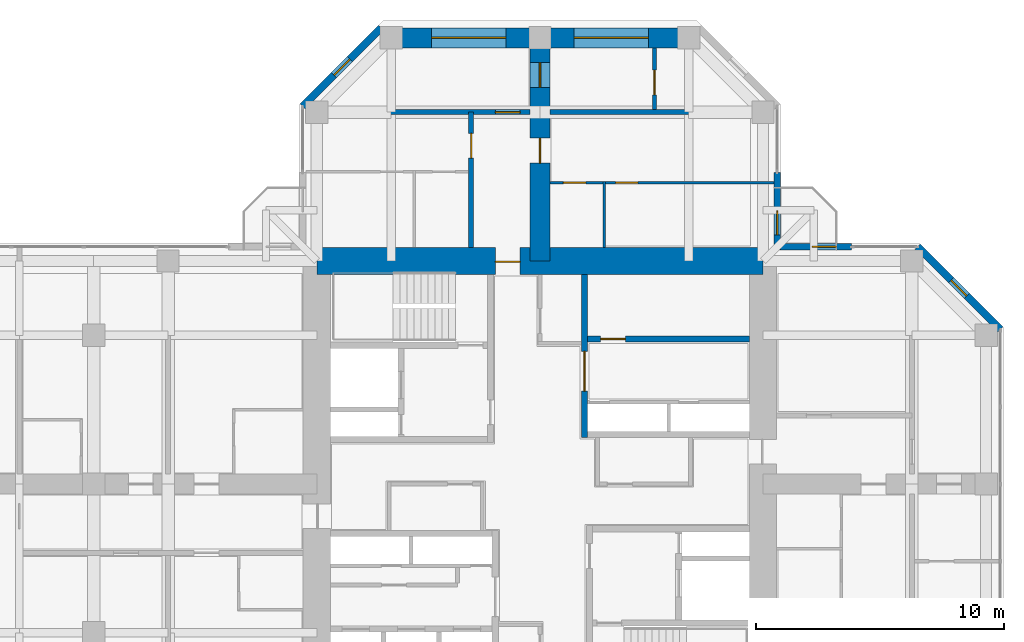
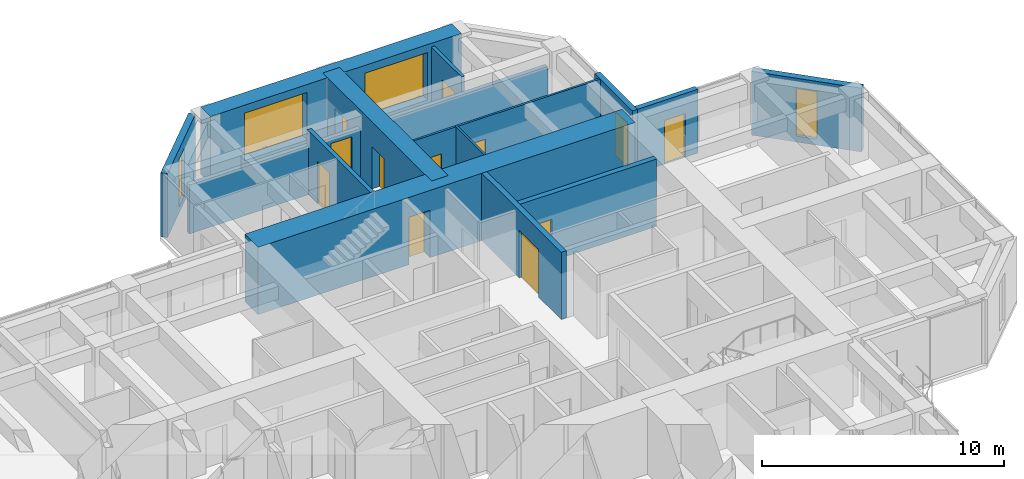
# One storey, part 12 of 14: 15 walls, 12 doors, 4 windows, 16 openings.
"""IFC4 building model written with IfcOpenShell, lengths in metres."""

from ifc_helpers import new_model, si_unit, direction, frame, frame_2d, origin, place, context, subcontext, project, spatial, rectangle, hollow_rectangle, extrude, material, layer, layer_set, constituent, constituent_set, type_object, element, fill, save


model = new_model("IFC4")

# Units and contexts
model_context = context("Model", 3, precision=1e-05, world=origin(), true_north=direction((0.0, 1.0)))
body_context = subcontext(model_context, "Body", "Model", "MODEL_VIEW")
ifc_project = project(units=[si_unit("LENGTHUNIT", "METRE"), si_unit("AREAUNIT", "SQUARE_METRE"), si_unit("VOLUMEUNIT", "CUBIC_METRE"), si_unit("PLANEANGLEUNIT", "RADIAN"), si_unit("MASSUNIT", "GRAM", prefix="KILO")], contexts=[model_context])

# Site, building, storey
site_placement = place(None, origin())
site = spatial("IfcSite", under=ifc_project, at=site_placement, CompositionType="ELEMENT")
building_placement = place(site_placement, origin())
building = spatial("IfcBuilding", under=site, at=building_placement, Name="Torre Cruceta", CompositionType="ELEMENT")
storey_placement = place(building_placement, frame((0.0, 0.0, 206.89990234375)))
storey = spatial("IfcBuildingStorey", under=building, at=storey_placement, Name="L52", CompositionType="ELEMENT", Elevation=206.89990234375)

# Wall
ifc_material_1 = material(Name="Water-resistant plasterboard on steel studs", Category="steel")
ifc_layer_1 = layer(ifc_material_1, 0.10009765625)
ifc_layer_set_1 = layer_set([ifc_layer_1], Name="Water-resistant plasterboard on steel studs")
wall_type_1 = type_object("IfcWallType", Name="BATHROOM WALL 100", PredefinedType="PARTITIONING", material=ifc_layer_set_1)
wall_1_placement = place(storey_placement, frame((2.60009765625, 9.550048828125, 0.0), z_axis=(0.0, 0.0, 1.0), x_axis=(0.0, 1.0, 0.0)))
element("IfcWall", 1, at=wall_1_placement, inside=storey, type_object=wall_type_1, Name="PT4 L52-N-U1RBB", PredefinedType="PARTITIONING", context=body_context, shape_type="SweptSolid", body=[
    extrude(rectangle(XDim=2.64990234375, YDim=0.10009765625, at=frame_2d((1.324951171875, 0.0))), origin(), (0.0, 0.0, 1.0), 3.22021484375),
])

# Wall, openings, doors
wall_2_placement = place(storey_placement, frame((9.445068359375, 12.14990234375, 0.0), z_axis=(0.0, 0.0, 1.0), x_axis=(-1.0, 0.0, 0.0)))
wall_2 = element("IfcWall", 2, at=wall_2_placement, inside=storey, type_object=wall_type_1, Name="PT4 L52-N-U1RBS", PredefinedType="PARTITIONING", context=body_context, shape_type="SweptSolid", body=[
    extrude(rectangle(XDim=9.045166015625, YDim=0.10009765625, at=frame_2d((4.5224609375, 0.0))), origin(), (0.0, 0.0, 1.0), 3.22021484375),
])
opening_1_placement = place(wall_2_placement, frame((5.4951171875, 0.0, 0.0)))
opening_1 = element("IfcOpeningElement", 3, at=opening_1_placement, cuts=wall_2, Name="Opening D7", PredefinedType="OPENING", context=body_context, shape_type="SweptSolid", body=[
    extrude(rectangle(XDim=0.89990234375, YDim=2.10009765625, at=frame_2d((0.449951171875, 1.050048828125))), frame((0.0, 0.06005859375, 0.0), z_axis=(0.0, -1.0, 0.0), x_axis=(1.0, 0.0, 0.0)), (0.0, 0.0, 1.0), 0.1201171875),
])
opening_2_placement = place(wall_2_placement, frame((7.594970703125, 0.0, 0.0)))
opening_2 = element("IfcOpeningElement", 4, at=opening_2_placement, cuts=wall_2, Name="Opening D7", PredefinedType="OPENING", context=body_context, shape_type="SweptSolid", body=[
    extrude(rectangle(XDim=0.89990234375, YDim=2.10009765625, at=frame_2d((0.449951171875, 1.050048828125))), frame((0.0, 0.06005859375, 0.0), z_axis=(0.0, -1.0, 0.0), x_axis=(1.0, 0.0, 0.0)), (0.0, 0.0, 1.0), 0.1201171875),
])
ifc_material_2 = material(Name="Timber door", Category="wood")
door_type_1 = type_object("IfcDoorType", Name="BATHROOM DOOR 900X2100", OperationType="SINGLE_SWING_LEFT", PredefinedType="DOOR", material=ifc_material_2)
door_1_placement = place(opening_1_placement, origin())
door_1 = element("IfcDoor", 5, at=door_1_placement, inside=storey, type_object=door_type_1, Name="D7 L52-N-U1RBS-D1", OperationType="SINGLE_SWING_RIGHT", OverallHeight=2.10009765625, OverallWidth=0.89990234375, PredefinedType="DOOR", context=body_context, shape_type="SweptSolid", body=[
    extrude(rectangle(XDim=0.89990234375, YDim=2.10009765625, at=frame_2d((0.449951171875, 1.050048828125))), frame((0.0, 0.02490234375, 0.0), z_axis=(0.0, -1.0, 0.0), x_axis=(1.0, 0.0, 0.0)), (0.0, 0.0, 1.0), 0.050048828125),
])
fill(opening_1, door_1)
door_2_placement = place(opening_2_placement, origin())
door_2 = element("IfcDoor", 6, at=door_2_placement, inside=storey, type_object=door_type_1, Name="D7 L52-N-U1RBS-D2", OperationType="SINGLE_SWING_RIGHT", OverallHeight=2.10009765625, OverallWidth=0.89990234375, PredefinedType="DOOR", context=body_context, shape_type="SweptSolid", body=[
    extrude(rectangle(XDim=0.89990234375, YDim=2.10009765625, at=frame_2d((0.449951171875, 1.050048828125))), frame((0.0, 0.02490234375, 0.0), z_axis=(0.0, -1.0, 0.0), x_axis=(1.0, 0.0, 0.0)), (0.0, 0.0, 1.0), 0.050048828125),
])
fill(opening_2, door_2)

# Wall, opening, door
ifc_material_3 = material(Name="Concrete G60 (fck 60 MPa)", Category="concrete")
ifc_layer_2 = layer(ifc_material_3, 0.25)
ifc_layer_set_2 = layer_set([ifc_layer_2], Name="Concrete G60 (fck 60 MPa)")
wall_type_2 = type_object("IfcWallType", Name="CORE INNER WALL 250 G60", PredefinedType="SHEAR", material=ifc_layer_set_2)
wall_3_placement = place(storey_placement, frame((1.800048828125, 1.875, 0.0), z_axis=(0.0, 0.0, 1.0), x_axis=(0.0, 1.0, 0.0)))
wall_3 = element("IfcWall", 7, at=wall_3_placement, inside=storey, type_object=wall_type_2, Name="CW4 L52 NE-CU", PredefinedType="SHEAR", context=body_context, shape_type="SweptSolid", body=[
    extrude(rectangle(XDim=6.574951171875, YDim=0.25, at=frame_2d((3.28759765625, 0.0))), origin(), (0.0, 0.0, 1.0), 3.400146484375),
])
opening_3_placement = place(wall_3_placement, frame((1.875, 0.0, 0.0)))
opening_3 = element("IfcOpeningElement", 8, at=opening_3_placement, cuts=wall_3, Name="Opening D15", PredefinedType="OPENING", context=body_context, shape_type="SweptSolid", body=[
    extrude(rectangle(XDim=1.60009765625, YDim=2.39990234375, at=frame_2d((0.800048828125, 1.199951171875))), frame((0.0, 0.135009765625, 0.0), z_axis=(0.0, -1.0, 0.0), x_axis=(1.0, 0.0, 0.0)), (0.0, 0.0, 1.0), 0.27001953125),
])
ifc_material_4 = material(Name="Steel DX51D", Category="steel")
ifc_constituent_1 = constituent(ifc_material_4, Name="Leaf and frame")
ifc_material_5 = material(Name="Polyester powder coating", Category="paint")
ifc_constituent_2 = constituent(ifc_material_5, Name="Finish")
ifc_constituent_set_1 = constituent_set(constituents=[ifc_constituent_1, ifc_constituent_2], Name="Steel fire door")
door_type_2 = type_object("IfcDoorType", Name="CORE ROOM DOUBLE DOOR 1600X2400", OperationType="DOUBLE_DOOR_SINGLE_SWING", PredefinedType="DOOR", material=ifc_constituent_set_1)
door_3_placement = place(opening_3_placement, frame((1.60009765625, 0.0, 0.0), z_axis=(0.0, 0.0, 1.0), x_axis=(-1.0, 0.0, 0.0)))
door_3 = element("IfcDoor", 9, at=door_3_placement, inside=storey, type_object=door_type_2, Name="D15 L52 NE-LOBBY", OperationType="DOUBLE_DOOR_SINGLE_SWING", OverallHeight=2.39990234375, OverallWidth=1.60009765625, PredefinedType="DOOR", context=body_context, shape_type="SweptSolid", body=[
    extrude(rectangle(XDim=1.60009765625, YDim=2.39990234375, at=frame_2d((0.800048828125, 1.199951171875))), frame((0.0, 0.025146484375, 0.0), z_axis=(0.0, -1.0, 0.0), x_axis=(1.0, 0.0, 0.0)), (0.0, 0.0, 1.0), 0.050048828125),
])
fill(opening_3, door_3)

wall_4_placement = place(storey_placement, frame((1.925048828125, 5.85009765625, 0.0), z_axis=(0.0, 0.0, 1.0), x_axis=(1.0, 0.0, 0.0)))
wall_4 = element("IfcWall", 10, at=wall_4_placement, inside=storey, type_object=wall_type_2, Name="CW4 L52 NE-LV", PredefinedType="SHEAR", context=body_context, shape_type="SweptSolid", body=[
    extrude(rectangle(XDim=6.52490234375, YDim=0.25, at=frame_2d((3.262451171875, 0.0))), origin(), (0.0, 0.0, 1.0), 3.400146484375),
])
opening_4_placement = place(wall_4_placement, frame((0.520751953125, 0.0, 0.0)))
opening_4 = element("IfcOpeningElement", 11, at=opening_4_placement, cuts=wall_4, Name="Opening D3", PredefinedType="OPENING", context=body_context, shape_type="SweptSolid", body=[
    extrude(rectangle(XDim=1.0, YDim=2.10009765625, at=frame_2d((0.5, 1.050048828125))), frame((0.0, 0.135009765625, 0.0), z_axis=(0.0, -1.0, 0.0), x_axis=(1.0, 0.0, 0.0)), (0.0, 0.0, 1.0), 0.27001953125),
])
ifc_material_6 = material(Name="Steel DX51D", Category="steel")
ifc_constituent_3 = constituent(ifc_material_6, Name="Leaf and frame")
ifc_material_7 = material(Name="Polyester powder coating", Category="paint")
ifc_constituent_4 = constituent(ifc_material_7, Name="Finish")
ifc_constituent_set_2 = constituent_set(constituents=[ifc_constituent_3, ifc_constituent_4], Name="Steel fire door")
door_type_3 = type_object("IfcDoorType", Name="FIRE DOOR 1000X2100", OperationType="SINGLE_SWING_LEFT", PredefinedType="DOOR", material=ifc_constituent_set_2)
door_4_placement = place(opening_4_placement, origin())
door_4 = element("IfcDoor", 12, at=door_4_placement, inside=storey, type_object=door_type_3, Name="D3 L52 NE-HR1", OperationType="SINGLE_SWING_LEFT", OverallHeight=2.10009765625, OverallWidth=1.0, PredefinedType="DOOR", context=body_context, shape_type="SweptSolid", body=[
    extrude(rectangle(XDim=1.0, YDim=2.10009765625, at=frame_2d((0.5, 1.050048828125))), frame((0.0, 0.02490234375, 0.0), z_axis=(0.0, -1.0, 0.0), x_axis=(1.0, 0.0, 0.0)), (0.0, 0.0, 1.0), 0.050048828125),
])
fill(opening_4, door_4)

ifc_material_8 = material(Name="Concrete G60 (fck 60 MPa)", Category="concrete")
ifc_layer_3 = layer(ifc_material_8, 1.10009765625)
ifc_layer_set_3 = layer_set([ifc_layer_3], Name="Concrete G60 (fck 60 MPa)")
wall_type_3 = type_object("IfcWallType", Name="CORE WALL 1100 G60", PredefinedType="SHEAR", material=ifc_layer_set_3)
wall_5_placement = place(storey_placement, frame((9.0, 9.0, 0.0), z_axis=(0.0, 0.0, 1.0), x_axis=(-1.0, 0.0, 0.0)))
wall_5 = element("IfcWall", 13, at=wall_5_placement, inside=storey, type_object=wall_type_3, Name="CW2 L52 CW-N", PredefinedType="SHEAR", context=body_context, shape_type="SweptSolid", body=[
    extrude(rectangle(XDim=18.0, YDim=1.10009765625, at=frame_2d((9.0, 0.0))), origin(), (0.0, 0.0, 1.0), 3.400146484375),
])
opening_5_placement = place(wall_5_placement, frame((9.800048828125, 0.0, 0.0)))
opening_5 = element("IfcOpeningElement", 14, at=opening_5_placement, cuts=wall_5, Name="Opening D4", PredefinedType="OPENING", context=body_context, shape_type="SweptSolid", body=[
    extrude(rectangle(XDim=1.0, YDim=2.39990234375, at=frame_2d((0.5, 1.199951171875))), frame((0.0, 0.56005859375, 0.0), z_axis=(0.0, -1.0, 0.0), x_axis=(1.0, 0.0, 0.0)), (0.0, 0.0, 1.0), 1.1201171875),
])
ifc_material_9 = material(Name="Steel DX51D", Category="steel")
ifc_constituent_5 = constituent(ifc_material_9, Name="Leaf and frame")
ifc_material_10 = material(Name="Polyester powder coating", Category="paint")
ifc_constituent_6 = constituent(ifc_material_10, Name="Finish")
ifc_constituent_set_3 = constituent_set(constituents=[ifc_constituent_5, ifc_constituent_6], Name="Steel fire door")
door_type_4 = type_object("IfcDoorType", Name="CORE ARM DOOR 1000X2400", OperationType="SINGLE_SWING_RIGHT", PredefinedType="DOOR", material=ifc_constituent_set_3)
door_5_placement = place(opening_5_placement, origin())
door_5 = element("IfcDoor", 15, at=door_5_placement, inside=storey, type_object=door_type_4, Name="D4 L52 CW-N", OperationType="SINGLE_SWING_RIGHT", OverallHeight=2.39990234375, OverallWidth=1.0, PredefinedType="DOOR", context=body_context, shape_type="SweptSolid", body=[
    extrude(rectangle(XDim=1.0, YDim=2.39990234375, at=frame_2d((0.5, 1.199951171875))), frame((0.0, 0.05517578125, 0.0), z_axis=(0.0, -1.0, 0.0), x_axis=(1.0, 0.0, 0.0)), (0.0, 0.0, 1.0), 0.050048828125),
])
fill(opening_5, door_5)

ifc_material_11 = material(Name="Concrete G25 (fck 25 MPa)", Category="concrete")
ifc_layer_4 = layer(ifc_material_11, 0.199951171875)
ifc_layer_set_4 = layer_set([ifc_layer_4], Name="Concrete G25 (fck 25 MPa)")
wall_type_4 = type_object("IfcWallType", Name="CORRIDOR WALL 200", PredefinedType="SOLIDWALL", material=ifc_layer_set_4)
wall_6_placement = place(storey_placement, frame((-2.77490234375, 9.550048828125, 0.0), z_axis=(0.0, 0.0, 1.0), x_axis=(0.0, 1.0, 0.0)))
wall_6 = element("IfcWall", 16, at=wall_6_placement, inside=storey, type_object=wall_type_4, Name="PT3 L52-N-CL", PredefinedType="SOLIDWALL", context=body_context, shape_type="SweptSolid", body=[
    extrude(rectangle(XDim=5.449951171875, YDim=0.199951171875, at=frame_2d((2.72509765625, 0.0))), origin(), (0.0, 0.0, 1.0), 3.22021484375),
])
opening_6_placement = place(wall_6_placement, frame((3.60009765625, 0.0, 0.0)))
opening_6 = element("IfcOpeningElement", 17, at=opening_6_placement, cuts=wall_6, Name="Opening D6", PredefinedType="OPENING", context=body_context, shape_type="SweptSolid", body=[
    extrude(rectangle(XDim=1.0, YDim=2.14990234375, at=frame_2d((0.5, 1.074951171875))), frame((0.0, 0.10986328125, 0.0), z_axis=(0.0, -1.0, 0.0), x_axis=(1.0, 0.0, 0.0)), (0.0, 0.0, 1.0), 0.219970703125),
])
ifc_material_12 = material(Name="Timber fire door", Category="wood")
door_type_5 = type_object("IfcDoorType", Name="UNIT ENTRANCE DOOR 1000X2150", OperationType="SINGLE_SWING_LEFT", PredefinedType="DOOR", material=ifc_material_12)
door_6_placement = place(opening_6_placement, origin())
door_6 = element("IfcDoor", 18, at=door_6_placement, inside=storey, type_object=door_type_5, Name="D6 L52-N-CL-D1", OperationType="SINGLE_SWING_LEFT", OverallHeight=2.14990234375, OverallWidth=1.0, PredefinedType="DOOR", context=body_context, shape_type="SweptSolid", body=[
    extrude(rectangle(XDim=1.0, YDim=2.14990234375, at=frame_2d((0.5, 1.074951171875))), frame((0.0, 0.02490234375, 0.0), z_axis=(0.0, -1.0, 0.0), x_axis=(1.0, 0.0, 0.0)), (0.0, 0.0, 1.0), 0.050048828125),
])
fill(opening_6, door_6)

# Wall, opening, window
ifc_material_13 = material(Name="Concrete G30 (fck 30 MPa)", Category="concrete")
ifc_layer_5 = layer(ifc_material_13, 0.300048828125)
ifc_layer_set_5 = layer_set([ifc_layer_5], Name="Concrete G30 (fck 30 MPa)")
wall_type_5 = type_object("IfcWallType", Name="EXPOSED CONCRETE FACADE WALL 300", PredefinedType="SOLIDWALL", material=ifc_layer_set_5)
wall_7_placement = place(storey_placement, frame((18.570068359375, 6.236083984375, 0.0), z_axis=(0.0, 0.0, 1.0), x_axis=(-0.707106781187, 0.707106781187, 0.0)))
wall_7 = element("IfcWall", 19, at=wall_7_placement, inside=storey, type_object=wall_type_5, Name="EW1 facade wall L52 E chamfer 03", PredefinedType="SOLIDWALL", context=body_context, shape_type="SweptSolid", body=[
    extrude(rectangle(XDim=4.715087890625, YDim=0.300048828125, at=frame_2d((2.357421875, 0.0))), origin(), (0.0, 0.0, 1.0), 3.22021484375),
])
opening_7_placement = place(wall_7_placement, frame((1.907470703125, 0.0, 0.300048828125)))
opening_7 = element("IfcOpeningElement", 20, at=opening_7_placement, cuts=wall_7, Name="Opening WN5", PredefinedType="OPENING", context=body_context, shape_type="SweptSolid", body=[
    extrude(rectangle(XDim=0.89990234375, YDim=2.39990234375, at=frame_2d((0.449951171875, 1.199951171875))), frame((0.0, 0.159912109375, 0.0), z_axis=(0.0, -1.0, 0.0), x_axis=(1.0, 0.0, 0.0)), (0.0, 0.0, 1.0), 0.320068359375),
])
ifc_material_14 = material(Name="Aluminium window frame", Category="aluminium")
ifc_constituent_7 = constituent(ifc_material_14, Name="Frame")
ifc_material_15 = material(Name="Laminated insulating glass unit, low-iron clear", Category="glass")
ifc_constituent_8 = constituent(ifc_material_15, Name="Glazing")
ifc_constituent_set_4 = constituent_set(constituents=[ifc_constituent_7, ifc_constituent_8], Name="Aluminium window")
window_type_1 = type_object("IfcWindowType", Name="CHAMFER SLOT WINDOW 900X2400", PartitioningType="SINGLE_PANEL", PredefinedType="WINDOW", material=ifc_constituent_set_4)
window_1_placement = place(opening_7_placement, origin())
window_1 = element("IfcWindow", 21, at=window_1_placement, inside=storey, type_object=window_type_1, Name="WN5 L52 E 1", OverallHeight=2.39990234375, OverallWidth=0.89990234375, PartitioningType="SINGLE_PANEL", PredefinedType="WINDOW", context=body_context, shape_type="SweptSolid", body=[
    extrude(hollow_rectangle(XDim=0.89990234375, YDim=2.39990234375, WallThickness=0.06005859375, at=frame_2d((0.449951171875, 1.199951171875))), frame((0.0, 0.030029296875, 0.0), z_axis=(0.0, -1.0, 0.0), x_axis=(1.0, 0.0, 0.0)), (0.0, 0.0, 1.0), 0.06005859375),
    extrude(rectangle(XDim=0.77880859375, YDim=2.27880859375, at=frame_2d((0.449951171875, 1.199951171875))), frame((0.0, 0.030029296875, 0.0), z_axis=(0.0, -1.0, 0.0), x_axis=(1.0, 0.0, 0.0)), (0.0, 0.0, 1.0), 0.06005859375),
])
fill(opening_7, window_1)

wall_8_placement = place(storey_placement, frame((-6.406005859375, 18.39990234375, 0.0), z_axis=(0.0, 0.0, 1.0), x_axis=(-0.707134062067, -0.707079499254, 0.0)))
wall_8 = element("IfcWall", 22, at=wall_8_placement, inside=storey, type_object=wall_type_5, Name="EW1 facade wall L52 N chamfer 08", PredefinedType="SOLIDWALL", context=body_context, shape_type="SweptSolid", body=[
    extrude(rectangle(XDim=4.474609375, YDim=0.300048828125, at=frame_2d((2.2373046875, 0.0))), origin(), (0.0, 0.0, 1.0), 3.22021484375),
])
opening_8_placement = place(wall_8_placement, frame((1.787109375, 0.0, 0.300048828125)))
opening_8 = element("IfcOpeningElement", 23, at=opening_8_placement, cuts=wall_8, Name="Opening WN5", PredefinedType="OPENING", context=body_context, shape_type="SweptSolid", body=[
    extrude(rectangle(XDim=0.89990234375, YDim=2.39990234375, at=frame_2d((0.449951171875, 1.199951171875))), frame((0.0, 0.159912109375, 0.0), z_axis=(0.0, -1.0, 0.0), x_axis=(1.0, 0.0, 0.0)), (0.0, 0.0, 1.0), 0.320068359375),
])
window_2_placement = place(opening_8_placement, origin())
window_2 = element("IfcWindow", 24, at=window_2_placement, inside=storey, type_object=window_type_1, Name="WN5 L52 N 1", OverallHeight=2.39990234375, OverallWidth=0.89990234375, PartitioningType="SINGLE_PANEL", PredefinedType="WINDOW", context=body_context, shape_type="SweptSolid", body=[
    extrude(hollow_rectangle(XDim=0.89990234375, YDim=2.39990234375, WallThickness=0.06005859375, at=frame_2d((0.449951171875, 1.199951171875))), frame((0.0, 0.030029296875, 0.0), z_axis=(0.0, -1.0, 0.0), x_axis=(1.0, 0.0, 0.0)), (0.0, 0.0, 1.0), 0.06005859375),
    extrude(rectangle(XDim=0.77880859375, YDim=2.27880859375, at=frame_2d((0.449951171875, 1.199951171875))), frame((0.0, 0.030029296875, 0.0), z_axis=(0.0, -1.0, 0.0), x_axis=(1.0, 0.0, 0.0)), (0.0, 0.0, 1.0), 0.06005859375),
])
fill(opening_8, window_2)

# Wall, openings, windows
ifc_material_16 = material(Name="Concrete G60 (fck 60 MPa)", Category="concrete")
ifc_layer_6 = layer(ifc_material_16, 0.800048828125)
ifc_layer_set_6 = layer_set([ifc_layer_6], Name="Concrete G60 (fck 60 MPa)")
wall_type_6 = type_object("IfcWallType", Name="NOSE WALL 800 G60", PredefinedType="SHEAR", material=ifc_layer_set_6)
wall_9_placement = place(storey_placement, frame((6.0, 18.0, 0.0), z_axis=(0.0, 0.0, 1.0), x_axis=(-1.0, 0.0, 0.0)))
wall_9 = element("IfcWall", 25, at=wall_9_placement, inside=storey, type_object=wall_type_6, Name="NW2 nose wall L52 N", PredefinedType="SHEAR", context=body_context, shape_type="SweptSolid", body=[
    extrude(rectangle(XDim=12.0, YDim=0.800048828125, at=frame_2d((6.0, 0.0))), origin(), (0.0, 0.0, 1.0), 3.400146484375),
])
opening_9_placement = place(wall_9_placement, frame((1.625, 0.0, 0.60009765625)))
opening_9 = element("IfcOpeningElement", 26, at=opening_9_placement, cuts=wall_9, Name="Opening WN6", PredefinedType="OPENING", context=body_context, shape_type="SweptSolid", body=[
    extrude(rectangle(XDim=3.0, YDim=2.39990234375, at=frame_2d((1.5, 1.199951171875))), frame((0.0, 0.409912109375, 0.0), z_axis=(0.0, -1.0, 0.0), x_axis=(1.0, 0.0, 0.0)), (0.0, 0.0, 1.0), 0.820068359375),
])
opening_10_placement = place(wall_9_placement, frame((7.375, 0.0, 0.60009765625)))
opening_10 = element("IfcOpeningElement", 27, at=opening_10_placement, cuts=wall_9, Name="Opening WN6", PredefinedType="OPENING", context=body_context, shape_type="SweptSolid", body=[
    extrude(rectangle(XDim=3.0, YDim=2.39990234375, at=frame_2d((1.5, 1.199951171875))), frame((0.0, 0.409912109375, 0.0), z_axis=(0.0, -1.0, 0.0), x_axis=(1.0, 0.0, 0.0)), (0.0, 0.0, 1.0), 0.820068359375),
])
ifc_material_17 = material(Name="Aluminium window frame", Category="aluminium")
ifc_constituent_9 = constituent(ifc_material_17, Name="Frame")
ifc_material_18 = material(Name="Laminated insulating glass unit, low-iron clear", Category="glass")
ifc_constituent_10 = constituent(ifc_material_18, Name="Glazing")
ifc_constituent_set_5 = constituent_set(constituents=[ifc_constituent_9, ifc_constituent_10], Name="Aluminium window")
window_type_2 = type_object("IfcWindowType", Name="NOSE WALL WINDOW 3000X2400", PartitioningType="SINGLE_PANEL", PredefinedType="WINDOW", material=ifc_constituent_set_5)
window_3_placement = place(opening_9_placement, origin())
window_3 = element("IfcWindow", 28, at=window_3_placement, inside=storey, type_object=window_type_2, Name="WN6 L52 N 1", OverallHeight=2.39990234375, OverallWidth=3.0, PartitioningType="SINGLE_PANEL", PredefinedType="WINDOW", context=body_context, shape_type="SweptSolid", body=[
    extrude(hollow_rectangle(XDim=3.0, YDim=2.39990234375, WallThickness=0.06005859375, at=frame_2d((1.5, 1.199951171875))), frame((0.0, 0.030029296875, 0.0), z_axis=(0.0, -1.0, 0.0), x_axis=(1.0, 0.0, 0.0)), (0.0, 0.0, 1.0), 0.06005859375),
    extrude(rectangle(XDim=2.87890625, YDim=2.27880859375, at=frame_2d((1.5, 1.199951171875))), frame((0.0, 0.030029296875, 0.0), z_axis=(0.0, -1.0, 0.0), x_axis=(1.0, 0.0, 0.0)), (0.0, 0.0, 1.0), 0.06005859375),
])
fill(opening_9, window_3)
window_4_placement = place(opening_10_placement, origin())
window_4 = element("IfcWindow", 29, at=window_4_placement, inside=storey, type_object=window_type_2, Name="WN6 L52 N 2", OverallHeight=2.39990234375, OverallWidth=3.0, PartitioningType="SINGLE_PANEL", PredefinedType="WINDOW", context=body_context, shape_type="SweptSolid", body=[
    extrude(hollow_rectangle(XDim=3.0, YDim=2.39990234375, WallThickness=0.06005859375, at=frame_2d((1.5, 1.199951171875))), frame((0.0, 0.030029296875, 0.0), z_axis=(0.0, -1.0, 0.0), x_axis=(1.0, 0.0, 0.0)), (0.0, 0.0, 1.0), 0.06005859375),
    extrude(rectangle(XDim=2.87890625, YDim=2.27880859375, at=frame_2d((1.5, 1.199951171875))), frame((0.0, 0.030029296875, 0.0), z_axis=(0.0, -1.0, 0.0), x_axis=(1.0, 0.0, 0.0)), (0.0, 0.0, 1.0), 0.06005859375),
])
fill(opening_10, window_4)

# Wall, opening, door
ifc_material_19 = material(Name="Plasterboard on steel studs", Category="steel")
ifc_layer_7 = layer(ifc_material_19, 0.14990234375)
ifc_layer_set_7 = layer_set([ifc_layer_7], Name="Plasterboard on steel studs")
wall_type_7 = type_object("IfcWallType", Name="PARTITION 150", PredefinedType="PARTITIONING", material=ifc_layer_set_7)
wall_10_placement = place(storey_placement, frame((4.625, 15.10009765625, 0.0), z_axis=(0.0, 0.0, 1.0), x_axis=(0.0, 1.0, 0.0)))
wall_10 = element("IfcWall", 30, at=wall_10_placement, inside=storey, type_object=wall_type_7, Name="PT1 L52-N-END2X", PredefinedType="PARTITIONING", context=body_context, shape_type="SweptSolid", body=[
    extrude(rectangle(XDim=2.5, YDim=0.14990234375, at=frame_2d((1.25, 0.0))), origin(), (0.0, 0.0, 1.0), 3.22021484375),
])
opening_11_placement = place(wall_10_placement, frame((0.60009765625, 0.0, 0.0)))
opening_11 = element("IfcOpeningElement", 31, at=opening_11_placement, cuts=wall_10, Name="Opening D3", PredefinedType="OPENING", context=body_context, shape_type="SweptSolid", body=[
    extrude(rectangle(XDim=1.0, YDim=2.10009765625, at=frame_2d((0.5, 1.050048828125))), frame((0.0, 0.0849609375, 0.0), z_axis=(0.0, -1.0, 0.0), x_axis=(1.0, 0.0, 0.0)), (0.0, 0.0, 1.0), 0.169921875),
])
door_7_placement = place(opening_11_placement, frame((1.0, 0.0, 0.0), z_axis=(0.0, 0.0, 1.0), x_axis=(-1.0, 0.0, 0.0)))
door_7 = element("IfcDoor", 32, at=door_7_placement, inside=storey, type_object=door_type_3, Name="D3 L52-N-END2X-D1", OperationType="SINGLE_SWING_RIGHT", OverallHeight=2.10009765625, OverallWidth=1.0, PredefinedType="DOOR", context=body_context, shape_type="SweptSolid", body=[
    extrude(rectangle(XDim=1.0, YDim=2.10009765625, at=frame_2d((0.5, 1.050048828125))), frame((0.0, 0.025146484375, 0.0), z_axis=(0.0, -1.0, 0.0), x_axis=(1.0, 0.0, 0.0)), (0.0, 0.0, 1.0), 0.050048828125),
])
fill(opening_11, door_7)

# Wall, openings, doors
ifc_material_20 = material(Name="Concrete G60 (fck 60 MPa)", Category="concrete")
ifc_layer_8 = layer(ifc_material_20, 0.800048828125)
ifc_layer_set_8 = layer_set([ifc_layer_8], Name="Concrete G60 (fck 60 MPa)")
wall_type_8 = type_object("IfcWallType", Name="SPINE WALL 800 G60", PredefinedType="SHEAR", material=ifc_layer_set_8)
wall_11_placement = place(storey_placement, frame((0.0, 9.0, 0.0), z_axis=(0.0, 0.0, 1.0), x_axis=(0.0, 1.0, 0.0)))
wall_11 = element("IfcWall", 33, at=wall_11_placement, inside=storey, type_object=wall_type_8, Name="SW4 spine wall L52 N", PredefinedType="SHEAR", context=body_context, shape_type="SweptSolid", body=[
    extrude(rectangle(XDim=9.0, YDim=0.800048828125, at=frame_2d((4.5, 0.0))), origin(), (0.0, 0.0, 1.0), 3.400146484375),
])
opening_12_placement = place(wall_11_placement, frame((3.949951171875, 0.0, 0.0)))
opening_12 = element("IfcOpeningElement", 34, at=opening_12_placement, cuts=wall_11, Name="Opening D6", PredefinedType="OPENING", context=body_context, shape_type="SweptSolid", body=[
    extrude(rectangle(XDim=1.0, YDim=2.14990234375, at=frame_2d((0.5, 1.074951171875))), frame((0.0, 0.409912109375, 0.0), z_axis=(0.0, -1.0, 0.0), x_axis=(1.0, 0.0, 0.0)), (0.0, 0.0, 1.0), 0.820068359375),
])
opening_13_placement = place(wall_11_placement, frame((7.0, 0.0, 0.0)))
opening_13 = element("IfcOpeningElement", 35, at=opening_13_placement, cuts=wall_11, Name="Opening D14", PredefinedType="OPENING", context=body_context, shape_type="SweptSolid", body=[
    extrude(rectangle(XDim=1.0, YDim=2.199951171875, at=frame_2d((0.5, 1.10009765625))), frame((0.0, 0.409912109375, 0.0), z_axis=(0.0, -1.0, 0.0), x_axis=(1.0, 0.0, 0.0)), (0.0, 0.0, 1.0), 0.820068359375),
])
ifc_material_21 = material(Name="Steel DX51D", Category="steel")
ifc_constituent_11 = constituent(ifc_material_21, Name="Leaf and frame")
ifc_material_22 = material(Name="Polyester powder coating", Category="paint")
ifc_constituent_12 = constituent(ifc_material_22, Name="Finish")
ifc_material_23 = material(Name="Fire-resisting glass", Category="glass")
ifc_constituent_13 = constituent(ifc_material_23, Name="Vision panel")
ifc_constituent_set_6 = constituent_set(constituents=[ifc_constituent_11, ifc_constituent_12, ifc_constituent_13], Name="Steel fire door with vision panel")
door_type_6 = type_object("IfcDoorType", Name="FIRE DOOR VISION PANEL 1000X2200", OperationType="SINGLE_SWING_RIGHT", PredefinedType="DOOR", material=ifc_constituent_set_6)
door_8_placement = place(opening_13_placement, frame((1.0, 0.0, 0.0), z_axis=(0.0, 0.0, 1.0), x_axis=(-1.0, 0.0, 0.0)))
door_8 = element("IfcDoor", 36, at=door_8_placement, inside=storey, type_object=door_type_6, Name="D14 L52-N-SP2", OperationType="SINGLE_SWING_LEFT", OverallHeight=2.199951171875, OverallWidth=1.0, PredefinedType="DOOR", context=body_context, shape_type="SweptSolid", body=[
    extrude(rectangle(XDim=1.0, YDim=2.199951171875, at=frame_2d((0.5, 1.10009765625))), frame((0.0, 0.025146484375, 0.0), z_axis=(0.0, -1.0, 0.0), x_axis=(1.0, 0.0, 0.0)), (0.0, 0.0, 1.0), 0.050048828125),
])
fill(opening_13, door_8)
door_9_placement = place(opening_12_placement, frame((1.0, 0.0, 0.0), z_axis=(0.0, 0.0, 1.0), x_axis=(-1.0, 0.0, 0.0)))
door_9 = element("IfcDoor", 37, at=door_9_placement, inside=storey, type_object=door_type_5, Name="D6 L52-N-SP1", OperationType="SINGLE_SWING_RIGHT", OverallHeight=2.14990234375, OverallWidth=1.0, PredefinedType="DOOR", context=body_context, shape_type="SweptSolid", body=[
    extrude(rectangle(XDim=1.0, YDim=2.14990234375, at=frame_2d((0.5, 1.074951171875))), frame((0.0, 0.025146484375, 0.0), z_axis=(0.0, -1.0, 0.0), x_axis=(1.0, 0.0, 0.0)), (0.0, 0.0, 1.0), 0.050048828125),
])
fill(opening_12, door_9)

# Wall
ifc_material_24 = material(Name="Concrete G25 (fck 25 MPa)", Category="concrete")
ifc_layer_9 = layer(ifc_material_24, 0.199951171875)
ifc_layer_set_9 = layer_set([ifc_layer_9], Name="Concrete G25 (fck 25 MPa)")
wall_type_9 = type_object("IfcWallType", Name="UNIT SEPARATING WALL 200", PredefinedType="SOLIDWALL", material=ifc_layer_set_9)
wall_12_placement = place(storey_placement, frame((8.550048828125, 15.0, 0.0), z_axis=(0.0, 0.0, 1.0), x_axis=(-1.0, 0.0, 0.0)))
element("IfcWall", 38, at=wall_12_placement, inside=storey, type_object=wall_type_9, Name="PT2 L52-N-ENDa", PredefinedType="SOLIDWALL", context=body_context, shape_type="SweptSolid", body=[
    extrude(rectangle(XDim=8.150146484375, YDim=0.199951171875, at=frame_2d((4.0751953125, 0.0))), origin(), (0.0, 0.0, 1.0), 2.47021484375),
])

# Wall, opening, door
wall_13_placement = place(storey_placement, frame((-0.39990234375, 15.0, 0.0), z_axis=(0.0, 0.0, 1.0), x_axis=(-1.0, 0.0, 0.0)))
wall_13 = element("IfcWall", 39, at=wall_13_placement, inside=storey, type_object=wall_type_9, Name="PT2 L52-N-ENDb", PredefinedType="SOLIDWALL", context=body_context, shape_type="SweptSolid", body=[
    extrude(rectangle(XDim=8.150146484375, YDim=0.199951171875, at=frame_2d((4.0751953125, 0.0))), origin(), (0.0, 0.0, 1.0), 2.47021484375),
])
opening_14_placement = place(wall_13_placement, frame((0.39990234375, 0.0, 0.0)))
opening_14 = element("IfcOpeningElement", 40, at=opening_14_placement, cuts=wall_13, Name="Opening D14", PredefinedType="OPENING", context=body_context, shape_type="SweptSolid", body=[
    extrude(rectangle(XDim=1.0, YDim=2.199951171875, at=frame_2d((0.5, 1.10009765625))), frame((0.0, 0.10986328125, 0.0), z_axis=(0.0, -1.0, 0.0), x_axis=(1.0, 0.0, 0.0)), (0.0, 0.0, 1.0), 0.219970703125),
])
door_10_placement = place(opening_14_placement, frame((1.0, 0.0, 0.0), z_axis=(0.0, 0.0, 1.0), x_axis=(-1.0, 0.0, 0.0)))
door_10 = element("IfcDoor", 41, at=door_10_placement, inside=storey, type_object=door_type_6, Name="D14 L52-N-ENDb-D1", OperationType="SINGLE_SWING_RIGHT", OverallHeight=2.199951171875, OverallWidth=1.0, PredefinedType="DOOR", context=body_context, shape_type="SweptSolid", body=[
    extrude(rectangle(XDim=1.0, YDim=2.199951171875, at=frame_2d((0.5, 1.10009765625))), frame((0.0, 0.025146484375, 0.0), z_axis=(0.0, -1.0, 0.0), x_axis=(1.0, 0.0, 0.0)), (0.0, 0.0, 1.0), 0.050048828125),
])
fill(opening_14, door_10)

ifc_material_25 = material(Name="Concrete G30 (fck 30 MPa)", Category="concrete")
ifc_layer_10 = layer(ifc_material_25, 0.25)
ifc_layer_set_10 = layer_set([ifc_layer_10], Name="Concrete G30 (fck 30 MPa)")
wall_type_10 = type_object("IfcWallType", Name="WINTER GARDEN WALL 250", PredefinedType="SOLIDWALL", material=ifc_layer_set_10)
wall_14_placement = place(storey_placement, frame((12.570068359375, 9.570068359375, 0.0), z_axis=(0.0, 0.0, 1.0), x_axis=(-1.0, 0.0, 0.0)))
wall_14 = element("IfcWall", 42, at=wall_14_placement, inside=storey, type_object=wall_type_10, Name="EW2 winter garden wall L52 04", PredefinedType="SOLIDWALL", context=body_context, shape_type="SweptSolid", body=[
    extrude(rectangle(XDim=2.875, YDim=0.25, at=frame_2d((1.4375, 0.0))), origin(), (0.0, 0.0, 1.0), 3.22021484375),
])
opening_15_placement = place(wall_14_placement, frame((0.60009765625, 0.0, 0.0)))
opening_15 = element("IfcOpeningElement", 43, at=opening_15_placement, cuts=wall_14, Name="Opening D10", PredefinedType="OPENING", context=body_context, shape_type="SweptSolid", body=[
    extrude(rectangle(XDim=1.0, YDim=2.199951171875, at=frame_2d((0.5, 1.10009765625))), frame((0.0, 0.135009765625, 0.0), z_axis=(0.0, -1.0, 0.0), x_axis=(1.0, 0.0, 0.0)), (0.0, 0.0, 1.0), 0.27001953125),
])
ifc_material_26 = material(Name="Aluminium door frame", Category="aluminium")
ifc_constituent_14 = constituent(ifc_material_26, Name="Frame")
ifc_material_27 = material(Name="Laminated safety glass", Category="glass")
ifc_constituent_15 = constituent(ifc_material_27, Name="Glazing")
ifc_constituent_set_7 = constituent_set(constituents=[ifc_constituent_14, ifc_constituent_15], Name="Aluminium glazed door")
door_type_7 = type_object("IfcDoorType", Name="BALCONY DOOR 1000X2200", OperationType="SINGLE_SWING_RIGHT", PredefinedType="DOOR", material=ifc_constituent_set_7)
door_11_placement = place(opening_15_placement, origin())
door_11 = element("IfcDoor", 44, at=door_11_placement, inside=storey, type_object=door_type_7, Name="D10 balcony door L52 04", OperationType="SINGLE_SWING_RIGHT", OverallHeight=2.199951171875, OverallWidth=1.0, PredefinedType="DOOR", context=body_context, shape_type="SweptSolid", body=[
    extrude(hollow_rectangle(XDim=1.0, YDim=2.199951171875, WallThickness=0.06005859375, at=frame_2d((0.5, 1.10009765625))), frame((0.0, 0.02490234375, 0.0), z_axis=(0.0, -1.0, 0.0), x_axis=(1.0, 0.0, 0.0)), (0.0, 0.0, 1.0), 0.050048828125),
    extrude(rectangle(XDim=0.87890625, YDim=2.078857421875, at=frame_2d((0.5, 1.10009765625))), frame((0.0, 0.02490234375, 0.0), z_axis=(0.0, -1.0, 0.0), x_axis=(1.0, 0.0, 0.0)), (0.0, 0.0, 1.0), 0.050048828125),
])
fill(opening_15, door_11)

wall_15_placement = place(storey_placement, frame((9.570068359375, 9.445068359375, 0.0), z_axis=(0.0, 0.0, 1.0), x_axis=(0.0, 1.0, 0.0)))
wall_15 = element("IfcWall", 45, at=wall_15_placement, inside=storey, type_object=wall_type_10, Name="EW2 winter garden wall L52 05", PredefinedType="SOLIDWALL", context=body_context, shape_type="SweptSolid", body=[
    extrude(rectangle(XDim=3.125, YDim=0.25, at=frame_2d((1.5625, 0.0))), origin(), (0.0, 0.0, 1.0), 3.22021484375),
])
opening_16_placement = place(wall_15_placement, frame((0.60009765625, 0.0, 0.0)))
opening_16 = element("IfcOpeningElement", 46, at=opening_16_placement, cuts=wall_15, Name="Opening D10", PredefinedType="OPENING", context=body_context, shape_type="SweptSolid", body=[
    extrude(rectangle(XDim=1.0, YDim=2.199951171875, at=frame_2d((0.5, 1.10009765625))), frame((0.0, 0.135009765625, 0.0), z_axis=(0.0, -1.0, 0.0), x_axis=(1.0, 0.0, 0.0)), (0.0, 0.0, 1.0), 0.27001953125),
])
door_12_placement = place(opening_16_placement, origin())
door_12 = element("IfcDoor", 47, at=door_12_placement, inside=storey, type_object=door_type_7, Name="D10 balcony door L52 05", OperationType="SINGLE_SWING_LEFT", OverallHeight=2.199951171875, OverallWidth=1.0, PredefinedType="DOOR", context=body_context, shape_type="SweptSolid", body=[
    extrude(hollow_rectangle(XDim=1.0, YDim=2.199951171875, WallThickness=0.06005859375, at=frame_2d((0.5, 1.10009765625))), frame((0.0, 0.02490234375, 0.0), z_axis=(0.0, -1.0, 0.0), x_axis=(1.0, 0.0, 0.0)), (0.0, 0.0, 1.0), 0.050048828125),
    extrude(rectangle(XDim=0.87890625, YDim=2.078857421875, at=frame_2d((0.5, 1.10009765625))), frame((0.0, 0.02490234375, 0.0), z_axis=(0.0, -1.0, 0.0), x_axis=(1.0, 0.0, 0.0)), (0.0, 0.0, 1.0), 0.050048828125),
])
fill(opening_16, door_12)

save(model, "model.ifc")
